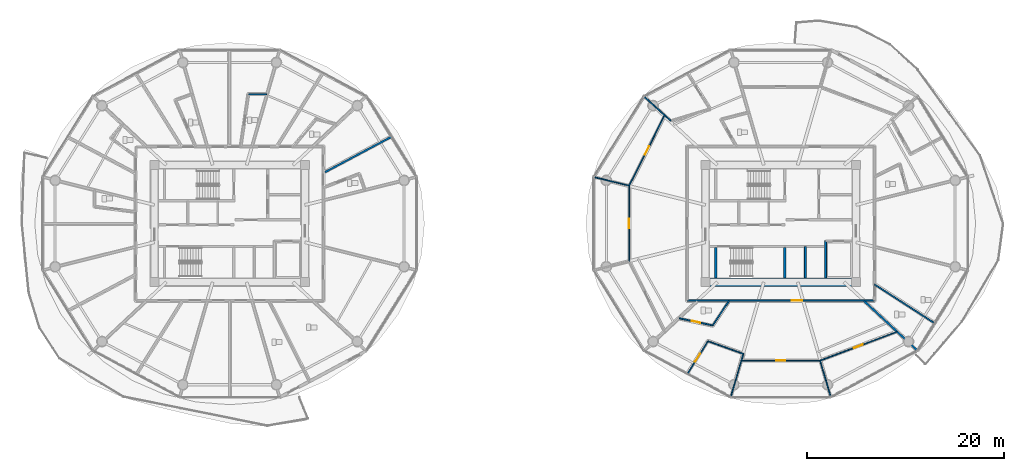
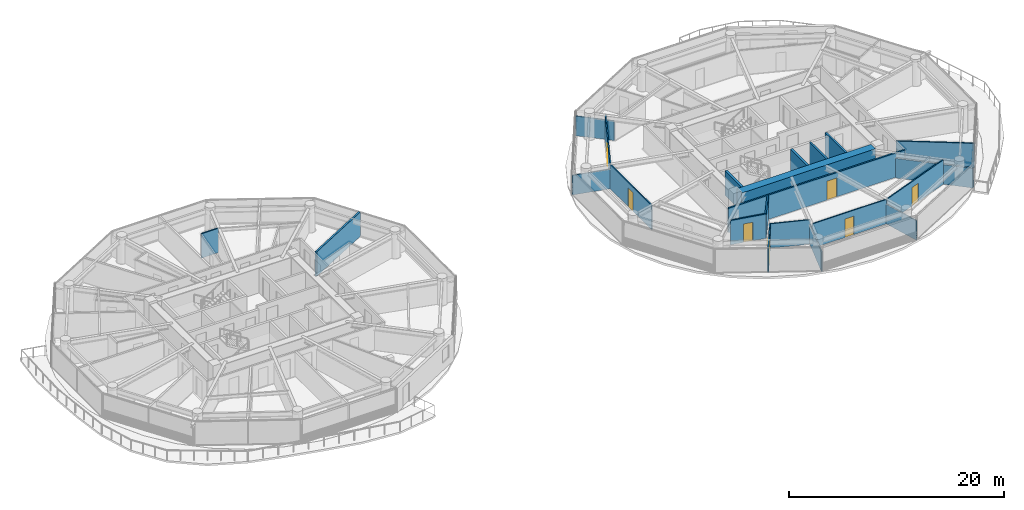
# One storey, part 18 of 31: 22 walls, 7 doors, 7 openings.
"""IFC4 building model written with IfcOpenShell, lengths in metres."""

from ifc_helpers import new_model, si_unit, direction, frame, frame_2d, origin, place, context, subcontext, project, spatial, rectangle, extrude, source, transform, mapped, material, layer, layer_set, type_object, type_shapes, element, fill, save


model = new_model("IFC4")

# Units and contexts
model_context = context("Model", 3, precision=1e-05, world=origin(), true_north=direction((0.0, 1.0)))
body_context = subcontext(model_context, "Body", "Model", "MODEL_VIEW")
ifc_project = project(units=[si_unit("LENGTHUNIT", "METRE"), si_unit("AREAUNIT", "SQUARE_METRE"), si_unit("VOLUMEUNIT", "CUBIC_METRE"), si_unit("PLANEANGLEUNIT", "RADIAN"), si_unit("MASSUNIT", "GRAM", prefix="KILO")], contexts=[model_context])

# Site, building, storey
site_placement = place(None, origin())
site = spatial("IfcSite", under=ifc_project, at=site_placement, CompositionType="ELEMENT")
building_placement = place(site_placement, origin())
building = spatial("IfcBuilding", under=site, at=building_placement, Name="Norrkilde Senior Care Towers", CompositionType="ELEMENT")
storey_placement = place(building_placement, frame((0.0, 0.0, 42.949951171875)))
storey = spatial("IfcBuildingStorey", under=building, at=storey_placement, Name="L12", CompositionType="ELEMENT", Elevation=42.949951171875)

# Walls
ifc_material_1 = material(Name="Concrete C60/75", Category="concrete")
ifc_layer_1 = layer(ifc_material_1, 0.85009765625)
ifc_layer_set_1 = layer_set([ifc_layer_1], Name="Concrete C60/75")
wall_type_1 = type_object("IfcWallType", Name="Core Shear Wall Z1 850", PredefinedType="SHEAR", material=ifc_layer_set_1)
shared_shape_1 = source(origin(), body_context, "Body", "SweptSolid", [
    extrude(rectangle(XDim=14.39990234375, YDim=0.85009765625, at=frame_2d((7.199951171875, 0.0))), origin(), (0.0, 0.0, 1.0), 2.7900390625),
])
type_shapes(wall_type_1, [shared_shape_1])
wall_1_placement = place(storey_placement, frame((35.199951171875, -5.949951171875, 0.0), z_axis=(0.0, 0.0, 1.0), x_axis=(-1.0, 0.0, 0.0)))
element("IfcWall", 1, at=wall_1_placement, inside=storey, type_object=wall_type_1, Name="L12 Core E South Shear Wall", PredefinedType="SHEAR", context=body_context, shape_type="MappedRepresentation", body=[
    mapped(shared_shape_1, transform((0.0, 0.0, 0.0), x_axis=(1.0, 0.0, 0.0), y_axis=(0.0, 1.0, 0.0), z_axis=(0.0, 0.0, 1.0), scale=1.0)),
])
ifc_material_2 = material(Name="Concrete C45/55", Category="concrete")
ifc_layer_2 = layer(ifc_material_2, 0.239990234375)
ifc_layer_set_2 = layer_set([ifc_layer_2], Name="Concrete C45/55")
wall_type_2 = type_object("IfcWallType", Name="Shaft and Stair Enclosure Wall 240", PredefinedType="PARTITIONING", material=ifc_layer_set_2)
shared_shape_2 = source(origin(), body_context, "Body", "SweptSolid", [
    extrude(rectangle(XDim=3.074951171875, YDim=0.239990234375, at=frame_2d((1.53759765625, 0.0))), origin(), (0.0, 0.0, 1.0), 2.7900390625),
])
type_shapes(wall_type_2, [shared_shape_2])
for number, where, z_axis, x_axis, name in (
    (2, (21.3798828125, -5.52490234375, 0.0), (0.0, 0.0, 1.0), (0.0, 1.0, 0.0), "WL-INT-L12-E-ST2W"),
    (3, (28.419921875, -5.52490234375, 0.0), (0.0, 0.0, 1.0), (0.0, 1.0, 0.0), "WL-INT-L12-E-ST2E"),
):
    element("IfcWall", number, at=place(storey_placement, frame(where, z_axis=z_axis, x_axis=x_axis)), inside=storey, type_object=wall_type_2, Name=name, PredefinedType="PARTITIONING", context=body_context, shape_type="MappedRepresentation", body=[
        mapped(shared_shape_2, transform((0.0, 0.0, 0.0), x_axis=(1.0, 0.0, 0.0), y_axis=(0.0, 1.0, 0.0), z_axis=(0.0, 0.0, 1.0), scale=1.0)),
    ])
ifc_layer_3 = layer(ifc_material_2, 0.199951171875)
ifc_layer_set_3 = layer_set([ifc_layer_3], Name="Concrete C45/55")
wall_type_3 = type_object("IfcWallType", Name="Shaft Division and Plant Partition 200", PredefinedType="PARTITIONING", material=ifc_layer_set_3)
shared_shape_3 = source(origin(), body_context, "Body", "SweptSolid", [
    extrude(rectangle(XDim=3.800048828125, YDim=0.199951171875, at=frame_2d((1.89990234375, 0.0))), origin(), (0.0, 0.0, 1.0), 2.775146484375),
])
type_shapes(wall_type_3, [shared_shape_3])
wall_2_placement = place(storey_placement, frame((32.550048828125, -5.550048828125, 0.0), z_axis=(0.0, 0.0, 1.0), x_axis=(0.0, 1.0, 0.0)))
element("IfcWall", 4, at=wall_2_placement, inside=storey, type_object=wall_type_3, Name="WL-INT-L12-E-PKBE", PredefinedType="PARTITIONING", context=body_context, shape_type="MappedRepresentation", body=[
    mapped(shared_shape_3, transform((0.0, 0.0, 0.0), x_axis=(1.0, 0.0, 0.0), y_axis=(0.0, 1.0, 0.0), z_axis=(0.0, 0.0, 1.0), scale=1.0)),
])
ifc_layer_4 = layer(ifc_material_2, 0.179931640625)
ifc_layer_set_4 = layer_set([ifc_layer_4], Name="Concrete C45/55")
wall_type_4 = type_object("IfcWallType", Name="Hoistway Division Rated Partition 180", PredefinedType="PARTITIONING", material=ifc_layer_set_4)
shared_shape_4 = source(origin(), body_context, "Body", "SweptSolid", [
    extrude(rectangle(XDim=3.219970703125, YDim=0.179931640625, at=frame_2d((1.60986328125, 0.0))), origin(), (0.0, 0.0, 1.0), 2.775146484375),
])
type_shapes(wall_type_4, [shared_shape_4])
wall_3_placement = place(storey_placement, frame((30.5, -5.550048828125, 0.0), z_axis=(0.0, 0.0, 1.0), x_axis=(0.0, 1.0, 0.0)))
element("IfcWall", 5, at=wall_3_placement, inside=storey, type_object=wall_type_4, Name="WL-INT-L12-E-PL34", PredefinedType="PARTITIONING", context=body_context, shape_type="MappedRepresentation", body=[
    mapped(shared_shape_4, transform((0.0, 0.0, 0.0), x_axis=(1.0, 0.0, 0.0), y_axis=(0.0, 1.0, 0.0), z_axis=(0.0, 0.0, 1.0), scale=1.0)),
])

# Wall, opening, door
ifc_material_3 = material(Name="Gypsum Acoustic Board")
ifc_layer_5 = layer(ifc_material_3, 0.1650390625)
ifc_layer_set_5 = layer_set([ifc_layer_5], Name="Gypsum Acoustic Board")
wall_type_5 = type_object("IfcWallType", Name="Corridor Rated Partition 165", PredefinedType="PARTITIONING", material=ifc_layer_set_5)
shared_shape_5 = source(origin(), body_context, "Body", "SweptSolid", [
    extrude(rectangle(XDim=19.0, YDim=0.1650390625, at=frame_2d((9.5, 0.0))), origin(), (0.0, 0.0, 1.0), 2.775146484375),
])
type_shapes(wall_type_5, [shared_shape_5])
wall_4_placement = place(storey_placement, frame((37.5, -7.800048828125, 0.0), z_axis=(0.0, 0.0, 1.0), x_axis=(-1.0, 0.0, 0.0)))
wall_4 = element("IfcWall", 6, at=wall_4_placement, inside=storey, type_object=wall_type_5, Name="WL-INT-L12-E-CRW-S-0", PredefinedType="PARTITIONING", context=body_context, shape_type="MappedRepresentation", body=[
    mapped(shared_shape_5, transform((0.0, 0.0, 0.0), x_axis=(1.0, 0.0, 0.0), y_axis=(0.0, 1.0, 0.0), z_axis=(0.0, 0.0, 1.0), scale=1.0)),
])
opening_1_placement = place(wall_4_placement, frame((7.33642578125, 0.0, 0.0)))
opening_1 = element("IfcOpeningElement", 7, at=opening_1_placement, cuts=wall_4, Name="Opening D-06", PredefinedType="OPENING", context=body_context, shape_type="SweptSolid", body=[
    extrude(rectangle(XDim=1.050048828125, YDim=2.14990234375, at=frame_2d((0.52490234375, 1.074951171875))), frame((0.0, 0.092529296875, 0.0), z_axis=(0.0, -1.0, 0.0), x_axis=(1.0, 0.0, 0.0)), (0.0, 0.0, 1.0), 0.18505859375),
])
ifc_material_4 = material(Name="Nordic Ash Timber", Category="wood")
door_type_1 = type_object("IfcDoorType", Name="Apartment Entrance Fire Door 1050x2150", OperationType="NOTDEFINED", PredefinedType="DOOR", material=ifc_material_4)
shared_shape_6 = source(origin(), body_context, "Body", "SweptSolid", [
    extrude(rectangle(XDim=1.050048828125, YDim=2.14990234375, at=frame_2d((0.52490234375, 1.074951171875))), frame((0.0, 0.02490234375, 0.0), z_axis=(0.0, -1.0, 0.0), x_axis=(1.0, 0.0, 0.0)), (0.0, 0.0, 1.0), 0.050048828125),
])
type_shapes(door_type_1, [shared_shape_6])
door_1_placement = place(opening_1_placement, frame((1.050048828125, 0.0, 0.0), z_axis=(0.0, 0.0, 1.0), x_axis=(-1.0, 0.0, 0.0)))
door_1 = element("IfcDoor", 8, at=door_1_placement, inside=storey, type_object=door_type_1, Name="Apartment 12B Entrance Door", OperationType="SINGLE_SWING_RIGHT", OverallHeight=2.14990234375, OverallWidth=1.050048828125, PredefinedType="DOOR", context=body_context, shape_type="MappedRepresentation", body=[
    mapped(shared_shape_6, transform((0.0, 0.0, 0.0), x_axis=(1.0, 0.0, 0.0), y_axis=(0.0, 1.0, 0.0), z_axis=(0.0, 0.0, 1.0), scale=1.0)),
])
fill(opening_1, door_1)

# Walls
ifc_layer_6 = layer(ifc_material_3, 0.18994140625)
ifc_layer_set_6 = layer_set([ifc_layer_6], Name="Gypsum Acoustic Board")
wall_type_6 = type_object("IfcWallType", Name="Unit Demising Acoustic Wall 190", PredefinedType="PARTITIONING", material=ifc_layer_set_6)
shared_shape_7 = source(origin(), body_context, "Body", "SweptSolid", [
    extrude(rectangle(XDim=7.4345703125, YDim=0.18994140625, at=frame_2d((3.71728515625, 0.0))), origin(), (0.0, 0.0, 1.0), 2.22509765625),
])
wall_5_placement = place(storey_placement, frame((36.48291015625, -7.8798828125, 0.0), z_axis=(0.0, 0.0, 1.0), x_axis=(0.732651956848, -0.680603489652, 0.0)))
element("IfcWall", 9, at=wall_5_placement, inside=storey, type_object=wall_type_6, Name="WL-INT-L12-E-DEM-10-0", PredefinedType="PARTITIONING", context=body_context, shape_type="MappedRepresentation", body=[
    mapped(shared_shape_7, transform((0.0, 0.0, 0.0), x_axis=(1.0, 0.0, 0.0), y_axis=(0.0, 1.0, 0.0), z_axis=(0.0, 0.0, 1.0), scale=1.0)),
])
shared_shape_8 = source(origin(), body_context, "Body", "SweptSolid", [
    extrude(rectangle(XDim=7.6767578125, YDim=0.18994140625, at=frame_2d((3.83837890625, 0.0))), origin(), (0.0, 0.0, 1.0), 2.775146484375),
])
type_shapes(wall_type_6, [shared_shape_7, shared_shape_8])
wall_6_placement = place(storey_placement, frame((-18.296875, 5.23095703125, 0.0), z_axis=(0.0, 0.0, 1.0), x_axis=(0.882725057546, 0.469889851753, 0.0)))
element("IfcWall", 10, at=wall_6_placement, inside=storey, type_object=wall_type_6, Name="WL-INT-L12-W-CMID-00", PredefinedType="PARTITIONING", context=body_context, shape_type="MappedRepresentation", body=[
    mapped(shared_shape_8, transform((0.0, 0.0, 0.0), x_axis=(1.0, 0.0, 0.0), y_axis=(0.0, 1.0, 0.0), z_axis=(0.0, 0.0, 1.0), scale=1.0)),
])

# Wall, opening, door
ifc_layer_7 = layer(ifc_material_3, 0.114990234375)
ifc_layer_set_7 = layer_set([ifc_layer_7], Name="Gypsum Acoustic Board")
wall_type_7 = type_object("IfcWallType", Name="Internal Room Partition 115", PredefinedType="PARTITIONING", material=ifc_layer_set_7)
shared_shape_9 = source(origin(), body_context, "Body", "SweptSolid", [
    extrude(rectangle(XDim=7.99267578125, YDim=0.114990234375, at=frame_2d((3.996337890625, 0.0))), origin(), (0.0, 0.0, 1.0), 2.775146484375),
])
wall_7_placement = place(storey_placement, frame((24.003662109375, -13.927001953125, 0.0), z_axis=(0.0, 0.0, 1.0), x_axis=(1.0, 0.0, 0.0)))
wall_7 = element("IfcWall", 11, at=wall_7_placement, inside=storey, type_object=wall_type_7, Name="WL-INT-L12-E-UBC-07-1", PredefinedType="PARTITIONING", context=body_context, shape_type="MappedRepresentation", body=[
    mapped(shared_shape_9, transform((0.0, 0.0, 0.0), x_axis=(1.0, 0.0, 0.0), y_axis=(0.0, 1.0, 0.0), z_axis=(0.0, 0.0, 1.0), scale=1.0)),
])
opening_2_placement = place(wall_7_placement, frame((3.521484375, 0.0, 0.0)))
opening_2 = element("IfcOpeningElement", 12, at=opening_2_placement, cuts=wall_7, Name="Opening D-07", PredefinedType="OPENING", context=body_context, shape_type="SweptSolid", body=[
    extrude(rectangle(XDim=0.949951171875, YDim=2.10009765625, at=frame_2d((0.47509765625, 1.050048828125))), frame((0.0, 0.0673828125, 0.0), z_axis=(0.0, -1.0, 0.0), x_axis=(1.0, 0.0, 0.0)), (0.0, 0.0, 1.0), 0.135009765625),
])
door_type_2 = type_object("IfcDoorType", Name="Internal Suite Bedroom Door 950x2100", OperationType="NOTDEFINED", PredefinedType="DOOR", material=ifc_material_4)
shared_shape_10 = source(origin(), body_context, "Body", "SweptSolid", [
    extrude(rectangle(XDim=0.949951171875, YDim=2.10009765625, at=frame_2d((0.47509765625, 1.050048828125))), frame((0.0, 0.02490234375, 0.0), z_axis=(0.0, -1.0, 0.0), x_axis=(1.0, 0.0, 0.0)), (0.0, 0.0, 1.0), 0.050048828125),
])
type_shapes(door_type_2, [shared_shape_10])
door_2_placement = place(opening_2_placement, origin())
door_2 = element("IfcDoor", 13, at=door_2_placement, inside=storey, type_object=door_type_2, Name="Apartment 12B Bedroom 1 Door", OperationType="SINGLE_SWING_LEFT", OverallHeight=2.10009765625, OverallWidth=0.949951171875, PredefinedType="DOOR", context=body_context, shape_type="MappedRepresentation", body=[
    mapped(shared_shape_10, transform((0.0, 0.0, 0.0), x_axis=(1.0, 0.0, 0.0), y_axis=(0.0, 1.0, 0.0), z_axis=(0.0, 0.0, 1.0), scale=1.0)),
])
fill(opening_2, door_2)

# Wall
ifc_layer_8 = layer(ifc_material_3, 0.139892578125)
ifc_layer_set_8 = layer_set([ifc_layer_8], Name="Gypsum Acoustic Board")
wall_type_8 = type_object("IfcWallType", Name="En-suite Wet Room Wall 140", PredefinedType="PARTITIONING", material=ifc_layer_set_8)
shared_shape_11 = source(origin(), body_context, "Body", "SweptSolid", [
    extrude(rectangle(XDim=3.025146484375, YDim=0.139892578125, at=frame_2d((1.5126953125, 0.0))), origin(), (0.0, 0.0, 1.0), 2.775146484375),
])
wall_8_placement = place(storey_placement, frame((22.76025390625, -7.830078125, 0.0), z_axis=(0.0, 0.0, 1.0), x_axis=(-0.556189165904, -0.831055721195, 0.0)))
element("IfcWall", 14, at=wall_8_placement, inside=storey, type_object=wall_type_8, Name="WL-INT-L12-E-UBTS-07", PredefinedType="PARTITIONING", context=body_context, shape_type="MappedRepresentation", body=[
    mapped(shared_shape_11, transform((0.0, 0.0, 0.0), x_axis=(1.0, 0.0, 0.0), y_axis=(0.0, 1.0, 0.0), z_axis=(0.0, 0.0, 1.0), scale=1.0)),
])

# Wall, opening, door
shared_shape_12 = source(origin(), body_context, "Body", "SweptSolid", [
    extrude(rectangle(XDim=3.458984375, YDim=0.139892578125, at=frame_2d((1.7294921875, 0.0))), origin(), (0.0, 0.0, 1.0), 2.775146484375),
])
wall_9_placement = place(storey_placement, frame((21.07763671875, -10.34423828125, 0.0), z_axis=(0.0, 0.0, 1.0), x_axis=(-0.978006468578, 0.208574560815, 0.0)))
wall_9 = element("IfcWall", 15, at=wall_9_placement, inside=storey, type_object=wall_type_8, Name="WL-INT-L12-E-UBTF-07", PredefinedType="PARTITIONING", context=body_context, shape_type="MappedRepresentation", body=[
    mapped(shared_shape_12, transform((0.0, 0.0, 0.0), x_axis=(1.0, 0.0, 0.0), y_axis=(0.0, 1.0, 0.0), z_axis=(0.0, 0.0, 1.0), scale=1.0)),
])
opening_3_placement = place(wall_9_placement, frame((1.26953125, 0.0, 0.0)))
opening_3 = element("IfcOpeningElement", 16, at=opening_3_placement, cuts=wall_9, Name="Opening D-08", PredefinedType="OPENING", context=body_context, shape_type="SweptSolid", body=[
    extrude(rectangle(XDim=0.919921875, YDim=2.10009765625, at=frame_2d((0.4599609375, 1.050048828125))), frame((0.0, 0.079833984375, 0.0), z_axis=(0.0, -1.0, 0.0), x_axis=(1.0, 0.0, 0.0)), (0.0, 0.0, 1.0), 0.159912109375),
])
door_type_3 = type_object("IfcDoorType", Name="Accessible Wet Room Door 920x2100", OperationType="NOTDEFINED", PredefinedType="DOOR", material=ifc_material_4)
shared_shape_13 = source(origin(), body_context, "Body", "SweptSolid", [
    extrude(rectangle(XDim=0.919921875, YDim=2.10009765625, at=frame_2d((0.4599609375, 1.050048828125))), frame((0.0, 0.02490234375, 0.0), z_axis=(0.0, -1.0, 0.0), x_axis=(1.0, 0.0, 0.0)), (0.0, 0.0, 1.0), 0.050048828125),
])
type_shapes(door_type_3, [shared_shape_13])
door_3_placement = place(opening_3_placement, origin())
door_3 = element("IfcDoor", 17, at=door_3_placement, inside=storey, type_object=door_type_3, Name="Apartment 12B Bathroom Door", OperationType="SINGLE_SWING_LEFT", OverallHeight=2.10009765625, OverallWidth=0.919921875, PredefinedType="DOOR", context=body_context, shape_type="MappedRepresentation", body=[
    mapped(shared_shape_13, transform((0.0, 0.0, 0.0), x_axis=(1.0, 0.0, 0.0), y_axis=(0.0, 1.0, 0.0), z_axis=(0.0, 0.0, 1.0), scale=1.0)),
])
fill(opening_3, door_3)

shared_shape_14 = source(origin(), body_context, "Body", "SweptSolid", [
    extrude(rectangle(XDim=8.017822265625, YDim=0.114990234375, at=frame_2d((4.0087890625, 0.0))), origin(), (0.0, 0.0, 1.0), 2.775146484375),
])
wall_10_placement = place(storey_placement, frame((16.205078125, 11.013916015625, 0.0), z_axis=(0.0, 0.0, 1.0), x_axis=(-0.450134355233, -0.89296084026, 0.0)))
wall_10 = element("IfcWall", 18, at=wall_10_placement, inside=storey, type_object=wall_type_7, Name="WL-INT-L12-E-UBC-03-1", PredefinedType="PARTITIONING", context=body_context, shape_type="MappedRepresentation", body=[
    mapped(shared_shape_14, transform((0.0, 0.0, 0.0), x_axis=(1.0, 0.0, 0.0), y_axis=(0.0, 1.0, 0.0), z_axis=(0.0, 0.0, 1.0), scale=1.0)),
])
opening_4_placement = place(wall_10_placement, frame((3.533935546875, 0.0, 0.0)))
opening_4 = element("IfcOpeningElement", 19, at=opening_4_placement, cuts=wall_10, Name="Opening D-07", PredefinedType="OPENING", context=body_context, shape_type="SweptSolid", body=[
    extrude(rectangle(XDim=0.949951171875, YDim=2.10009765625, at=frame_2d((0.47509765625, 1.050048828125))), frame((0.0, 0.0673828125, 0.0), z_axis=(0.0, -1.0, 0.0), x_axis=(1.0, 0.0, 0.0)), (0.0, 0.0, 1.0), 0.135009765625),
])
door_4_placement = place(opening_4_placement, origin())
door_4 = element("IfcDoor", 20, at=door_4_placement, inside=storey, type_object=door_type_2, Name="Apartment 12A Bedroom 1 Door", OperationType="SINGLE_SWING_LEFT", OverallHeight=2.10009765625, OverallWidth=0.949951171875, PredefinedType="DOOR", context=body_context, shape_type="MappedRepresentation", body=[
    mapped(shared_shape_10, transform((0.0, 0.0, 0.0), x_axis=(1.0, 0.0, 0.0), y_axis=(0.0, 1.0, 0.0), z_axis=(0.0, 0.0, 1.0), scale=1.0)),
])
fill(opening_4, door_4)

shared_shape_15 = source(origin(), body_context, "Body", "SweptSolid", [
    extrude(rectangle(XDim=8.31982421875, YDim=0.114990234375, at=frame_2d((4.159912109375, 0.0))), origin(), (0.0, 0.0, 1.0), 2.775146484375),
])
wall_11_placement = place(storey_placement, frame((31.997314453125, -13.93017578125, 0.0), z_axis=(0.0, 0.0, 1.0), x_axis=(0.936180763098, 0.351518959382, 0.0)))
wall_11 = element("IfcWall", 21, at=wall_11_placement, inside=storey, type_object=wall_type_7, Name="WL-INT-L12-E-UBC-07-2", PredefinedType="PARTITIONING", context=body_context, shape_type="MappedRepresentation", body=[
    mapped(shared_shape_15, transform((0.0, 0.0, 0.0), x_axis=(1.0, 0.0, 0.0), y_axis=(0.0, 1.0, 0.0), z_axis=(0.0, 0.0, 1.0), scale=1.0)),
])
opening_5_placement = place(wall_11_placement, frame((3.684814453125, 0.0, 0.0)))
opening_5 = element("IfcOpeningElement", 22, at=opening_5_placement, cuts=wall_11, Name="Opening D-07", PredefinedType="OPENING", context=body_context, shape_type="SweptSolid", body=[
    extrude(rectangle(XDim=0.949951171875, YDim=2.10009765625, at=frame_2d((0.47509765625, 1.050048828125))), frame((0.0, 0.0673828125, 0.0), z_axis=(0.0, -1.0, 0.0), x_axis=(1.0, 0.0, 0.0)), (0.0, 0.0, 1.0), 0.135009765625),
])
door_5_placement = place(opening_5_placement, frame((0.949951171875, 0.0, 0.0), z_axis=(0.0, 0.0, 1.0), x_axis=(-1.0, 0.0, 0.0)))
door_5 = element("IfcDoor", 23, at=door_5_placement, inside=storey, type_object=door_type_2, Name="Apartment 12B Bedroom 2 Door", OperationType="SINGLE_SWING_RIGHT", OverallHeight=2.10009765625, OverallWidth=0.949951171875, PredefinedType="DOOR", context=body_context, shape_type="MappedRepresentation", body=[
    mapped(shared_shape_10, transform((0.0, 0.0, 0.0), x_axis=(1.0, 0.0, 0.0), y_axis=(0.0, 1.0, 0.0), z_axis=(0.0, 0.0, 1.0), scale=1.0)),
])
fill(opening_5, door_5)

# Walls
shared_shape_16 = source(origin(), body_context, "Body", "SweptSolid", [
    extrude(rectangle(XDim=4.62451171875, YDim=0.114990234375, at=frame_2d((2.312255859375, 0.0))), origin(), (0.0, 0.0, 1.0), 2.22509765625),
])
wall_12_placement = place(storey_placement, frame((24.201171875, -13.238525390625, 0.0), z_axis=(0.0, 0.0, 1.0), x_axis=(-0.2810742844, -0.959686014616, 0.0)))
element("IfcWall", 24, at=wall_12_placement, inside=storey, type_object=wall_type_7, Name="WL-INT-L12-E-UBR-07-1", PredefinedType="PARTITIONING", context=body_context, shape_type="MappedRepresentation", body=[
    mapped(shared_shape_16, transform((0.0, 0.0, 0.0), x_axis=(1.0, 0.0, 0.0), y_axis=(0.0, 1.0, 0.0), z_axis=(0.0, 0.0, 1.0), scale=1.0)),
])
shared_shape_17 = source(origin(), body_context, "Body", "SweptSolid", [
    extrude(rectangle(XDim=3.90478515625, YDim=0.114990234375, at=frame_2d((1.952392578125, 0.0))), origin(), (0.0, 0.0, 1.0), 2.22509765625),
])
wall_13_placement = place(storey_placement, frame((31.997314453125, -13.93017578125, 0.0), z_axis=(0.0, 0.0, 1.0), x_axis=(0.282037692958, -0.959403324859, 0.0)))
element("IfcWall", 25, at=wall_13_placement, inside=storey, type_object=wall_type_7, Name="WL-INT-L12-E-UBR-07-2", PredefinedType="PARTITIONING", context=body_context, shape_type="MappedRepresentation", body=[
    mapped(shared_shape_17, transform((0.0, 0.0, 0.0), x_axis=(1.0, 0.0, 0.0), y_axis=(0.0, 1.0, 0.0), z_axis=(0.0, 0.0, 1.0), scale=1.0)),
])
shared_shape_18 = source(origin(), body_context, "Body", "SweptSolid", [
    extrude(rectangle(XDim=1.842529296875, YDim=0.139892578125, at=frame_2d((0.92138671875, 0.0))), origin(), (0.0, 0.0, 1.0), 2.775146484375),
])
wall_14_placement = place(storey_placement, frame((-26.072021484375, 13.142822265625, 0.0), z_axis=(0.0, 0.0, 1.0), x_axis=(0.999998937801, -0.001457531246, 0.0)))
element("IfcWall", 26, at=wall_14_placement, inside=storey, type_object=wall_type_8, Name="WL-INT-L12-W-EF-02A", PredefinedType="PARTITIONING", context=body_context, shape_type="MappedRepresentation", body=[
    mapped(shared_shape_18, transform((0.0, 0.0, 0.0), x_axis=(1.0, 0.0, 0.0), y_axis=(0.0, 1.0, 0.0), z_axis=(0.0, 0.0, 1.0), scale=1.0)),
])
shared_shape_19 = source(origin(), body_context, "Body", "SweptSolid", [
    extrude(rectangle(XDim=3.700439453125, YDim=0.114990234375, at=frame_2d((1.85009765625, 0.0))), origin(), (0.0, 0.0, 1.0), 2.22509765625),
])
wall_15_placement = place(storey_placement, frame((16.80810546875, 10.45068359375, 0.0), z_axis=(0.0, 0.0, 1.0), x_axis=(-0.739922161065, 0.672692497033, 0.0)))
element("IfcWall", 27, at=wall_15_placement, inside=storey, type_object=wall_type_7, Name="WL-INT-L12-E-UBR-03-1", PredefinedType="PARTITIONING", context=body_context, shape_type="MappedRepresentation", body=[
    mapped(shared_shape_19, transform((0.0, 0.0, 0.0), x_axis=(1.0, 0.0, 0.0), y_axis=(0.0, 1.0, 0.0), z_axis=(0.0, 0.0, 1.0), scale=1.0)),
])

# Wall, opening, door
shared_shape_20 = source(origin(), body_context, "Body", "SweptSolid", [
    extrude(rectangle(XDim=7.70947265625, YDim=0.114990234375, at=frame_2d((3.854736328125, 0.0))), origin(), (0.0, 0.0, 1.0), 2.775146484375),
])
wall_16_placement = place(storey_placement, frame((12.59375, 3.854736328125, 0.0), z_axis=(0.0, 0.0, 1.0), x_axis=(0.0, -1.0, 0.0)))
wall_16 = element("IfcWall", 28, at=wall_16_placement, inside=storey, type_object=wall_type_7, Name="WL-INT-L12-E-UBC-03-2", PredefinedType="PARTITIONING", context=body_context, shape_type="MappedRepresentation", body=[
    mapped(shared_shape_20, transform((0.0, 0.0, 0.0), x_axis=(1.0, 0.0, 0.0), y_axis=(0.0, 1.0, 0.0), z_axis=(0.0, 0.0, 1.0), scale=1.0)),
])
opening_6_placement = place(wall_16_placement, frame((3.379638671875, 0.0, 0.0)))
opening_6 = element("IfcOpeningElement", 29, at=opening_6_placement, cuts=wall_16, Name="Opening D-07", PredefinedType="OPENING", context=body_context, shape_type="SweptSolid", body=[
    extrude(rectangle(XDim=0.949951171875, YDim=2.10009765625, at=frame_2d((0.47509765625, 1.050048828125))), frame((0.0, 0.0673828125, 0.0), z_axis=(0.0, -1.0, 0.0), x_axis=(1.0, 0.0, 0.0)), (0.0, 0.0, 1.0), 0.135009765625),
])
door_6_placement = place(opening_6_placement, frame((0.949951171875, 0.0, 0.0), z_axis=(0.0, 0.0, 1.0), x_axis=(-1.0, 0.0, 0.0)))
door_6 = element("IfcDoor", 30, at=door_6_placement, inside=storey, type_object=door_type_2, Name="Apartment 12A Bedroom 2 Door", OperationType="SINGLE_SWING_RIGHT", OverallHeight=2.10009765625, OverallWidth=0.949951171875, PredefinedType="DOOR", context=body_context, shape_type="MappedRepresentation", body=[
    mapped(shared_shape_10, transform((0.0, 0.0, 0.0), x_axis=(1.0, 0.0, 0.0), y_axis=(0.0, 1.0, 0.0), z_axis=(0.0, 0.0, 1.0), scale=1.0)),
])
fill(opening_6, door_6)

# Wall
shared_shape_21 = source(origin(), body_context, "Body", "SweptSolid", [
    extrude(rectangle(XDim=3.728271484375, YDim=0.114990234375, at=frame_2d((1.8642578125, 0.0))), origin(), (0.0, 0.0, 1.0), 2.22509765625),
])
wall_17_placement = place(storey_placement, frame((12.59375, 3.854736328125, 0.0), z_axis=(0.0, 0.0, 1.0), x_axis=(-0.971641177968, 0.236460189624, 0.0)))
element("IfcWall", 31, at=wall_17_placement, inside=storey, type_object=wall_type_7, Name="WL-INT-L12-E-UBR-03-2", PredefinedType="PARTITIONING", context=body_context, shape_type="MappedRepresentation", body=[
    mapped(shared_shape_21, transform((0.0, 0.0, 0.0), x_axis=(1.0, 0.0, 0.0), y_axis=(0.0, 1.0, 0.0), z_axis=(0.0, 0.0, 1.0), scale=1.0)),
])

# Wall, opening, door
shared_shape_22 = source(origin(), body_context, "Body", "SweptSolid", [
    extrude(rectangle(XDim=3.974365234375, YDim=0.114990234375, at=frame_2d((1.9873046875, 0.0))), origin(), (0.0, 0.0, 1.0), 2.775146484375),
])
wall_18_placement = place(storey_placement, frame((20.611083984375, -11.9501953125, 0.0), z_axis=(0.0, 0.0, 1.0), x_axis=(-0.534810918023, -0.844971764003, 0.0)))
wall_18 = element("IfcWall", 32, at=wall_18_placement, inside=storey, type_object=wall_type_7, Name="WL-INT-L12-E-UKTS-07", PredefinedType="PARTITIONING", context=body_context, shape_type="MappedRepresentation", body=[
    mapped(shared_shape_22, transform((0.0, 0.0, 0.0), x_axis=(1.0, 0.0, 0.0), y_axis=(0.0, 1.0, 0.0), z_axis=(0.0, 0.0, 1.0), scale=1.0)),
])
opening_7_placement = place(wall_18_placement, frame((1.51220703125, 0.0, 0.0)))
opening_7 = element("IfcOpeningElement", 33, at=opening_7_placement, cuts=wall_18, Name="Opening D-07", PredefinedType="OPENING", context=body_context, shape_type="SweptSolid", body=[
    extrude(rectangle(XDim=0.949951171875, YDim=2.10009765625, at=frame_2d((0.47509765625, 1.050048828125))), frame((0.0, 0.0673828125, 0.0), z_axis=(0.0, -1.0, 0.0), x_axis=(1.0, 0.0, 0.0)), (0.0, 0.0, 1.0), 0.135009765625),
])
door_7_placement = place(opening_7_placement, frame((0.949951171875, 0.0, 0.0), z_axis=(0.0, 0.0, 1.0), x_axis=(-1.0, 0.0, 0.0)))
door_7 = element("IfcDoor", 34, at=door_7_placement, inside=storey, type_object=door_type_2, Name="Apartment 12B Kitchen Door", OperationType="SINGLE_SWING_RIGHT", OverallHeight=2.10009765625, OverallWidth=0.949951171875, PredefinedType="DOOR", context=body_context, shape_type="MappedRepresentation", body=[
    mapped(shared_shape_10, transform((0.0, 0.0, 0.0), x_axis=(1.0, 0.0, 0.0), y_axis=(0.0, 1.0, 0.0), z_axis=(0.0, 0.0, 1.0), scale=1.0)),
])
fill(opening_7, door_7)

# Walls
shared_shape_23 = source(origin(), body_context, "Body", "SweptSolid", [
    extrude(rectangle(XDim=3.814453125, YDim=0.114990234375, at=frame_2d((1.9072265625, 0.0))), origin(), (0.0, 0.0, 1.0), 2.775146484375),
])
type_shapes(wall_type_7, [shared_shape_9, shared_shape_14, shared_shape_15, shared_shape_16, shared_shape_17, shared_shape_19, shared_shape_20, shared_shape_21, shared_shape_22, shared_shape_23])
wall_19_placement = place(storey_placement, frame((20.611083984375, -11.9501953125, 0.0), z_axis=(0.0, 0.0, 1.0), x_axis=(0.940935542004, -0.338585743637, 0.0)))
element("IfcWall", 35, at=wall_19_placement, inside=storey, type_object=wall_type_7, Name="WL-INT-L12-E-UKTF-07", PredefinedType="PARTITIONING", context=body_context, shape_type="MappedRepresentation", body=[
    mapped(shared_shape_23, transform((0.0, 0.0, 0.0), x_axis=(1.0, 0.0, 0.0), y_axis=(0.0, 1.0, 0.0), z_axis=(0.0, 0.0, 1.0), scale=1.0)),
])
shared_shape_24 = source(origin(), body_context, "Body", "SweptSolid", [
    extrude(rectangle(XDim=7.30419921875, YDim=0.139892578125, at=frame_2d((3.652099609375, 0.0))), origin(), (0.0, 0.0, 1.0), 2.775146484375),
])
type_shapes(wall_type_8, [shared_shape_11, shared_shape_12, shared_shape_18, shared_shape_24])
wall_20_placement = place(storey_placement, frame((37.530029296875, -6.184814453125, 0.0), z_axis=(0.0, 0.0, 1.0), x_axis=(0.83973870965, -0.54299069929, 0.0)))
element("IfcWall", 36, at=wall_20_placement, inside=storey, type_object=wall_type_8, Name="WL-INT-L12-E-MID-10", PredefinedType="PARTITIONING", context=body_context, shape_type="MappedRepresentation", body=[
    mapped(shared_shape_24, transform((0.0, 0.0, 0.0), x_axis=(1.0, 0.0, 0.0), y_axis=(0.0, 1.0, 0.0), z_axis=(0.0, 0.0, 1.0), scale=1.0)),
])

save(model, "model.ifc")
